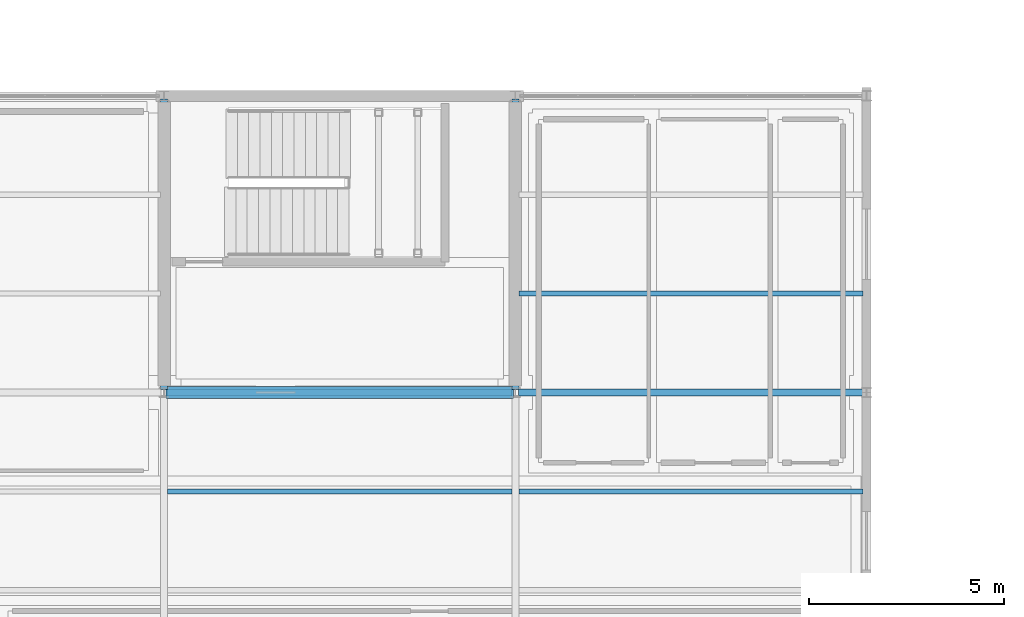
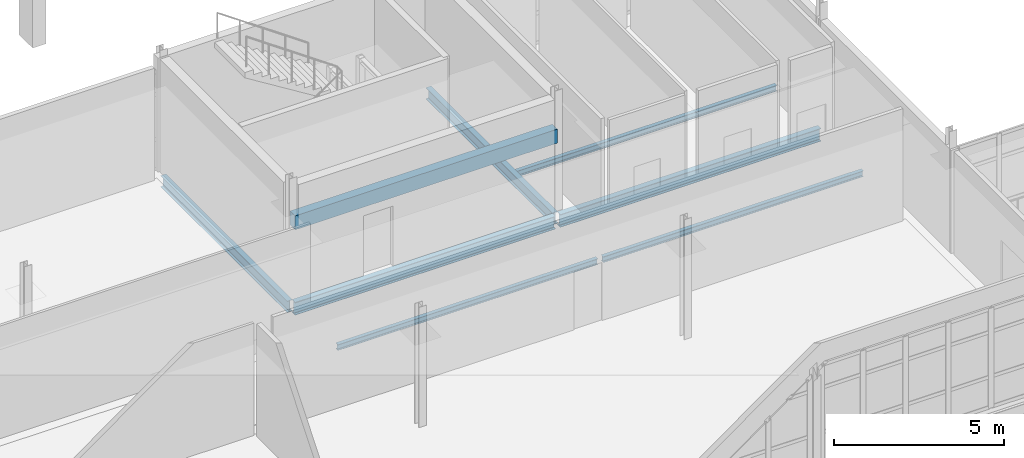
# One storey, part 97 of 166: 8 beams.
"""IFC4 building model written with IfcOpenShell, lengths in metres."""

from ifc_helpers import new_model, si_unit, direction, frame, origin, origin_2d, place, context, subcontext, project, spatial, rectangle, i_section, extrude, material, material_profile, profile_set, type_object, element, save


model = new_model("IFC4")

# Units and contexts
model_context = context("Model", 3, precision=1e-05, world=origin(), true_north=direction((0.0, 1.0)))
body_context = subcontext(model_context, "Body", "Model", "MODEL_VIEW")
ifc_project = project(units=[si_unit("LENGTHUNIT", "METRE"), si_unit("AREAUNIT", "SQUARE_METRE"), si_unit("VOLUMEUNIT", "CUBIC_METRE"), si_unit("PLANEANGLEUNIT", "RADIAN"), si_unit("MASSUNIT", "GRAM", prefix="KILO")], contexts=[model_context])

# Site, building, storey
site_placement = place(None, origin())
site = spatial("IfcSite", under=ifc_project, at=site_placement, CompositionType="ELEMENT")
building_placement = place(site_placement, origin())
building = spatial("IfcBuilding", under=site, at=building_placement, Name="Caisbarro Railhouse Central Library", CompositionType="ELEMENT")
storey_placement = place(building_placement, frame((0.0, 0.0, 9.360107421875)))
storey = spatial("IfcBuildingStorey", under=building, at=storey_placement, Name="L02", CompositionType="ELEMENT", Elevation=9.360107421875)

# Beams
ifc_material_1 = material(Name="Steel ASTM A572 Grade 50", Category="steel")
ifc_material_profile_1 = material_profile(ifc_material_1, i_section(OverallWidth=0.18994140625, OverallDepth=0.45703125, WebThickness=0.009033203125, FlangeThickness=0.014404296875, FilletRadius=0.01806640625, at=origin_2d()), Name="W460X74.0")
ifc_profile_set_1 = profile_set([ifc_material_profile_1], Name="Steel ASTM A572 Grade 50")
beam_type_1 = type_object("IfcBeamType", Name="BM-G08", PredefinedType="BEAM", material=ifc_profile_set_1)
for number, where, z_axis, x_axis, name in (
    (1, (81.080078125, 98.800048828125, -0.4287109375), (1.0, 0.0, 0.0), (0.0, 1.0, 0.0), "G08 beam L02 #1665"),
    (2, (90.080078125, 98.800048828125, -0.4287109375), (1.0, 0.0, 0.0), (0.0, 1.0, 0.0), "G08 beam L02 #1666"),
):
    element("IfcBeam", number, at=place(storey_placement, frame(where, z_axis=z_axis, x_axis=x_axis)), inside=storey, type_object=beam_type_1, Name=name, PredefinedType="BEAM", context=body_context, shape_type="SweptSolid", body=[
        extrude(i_section(OverallWidth=0.18994140625, OverallDepth=0.45703125, WebThickness=0.009033203125, FlangeThickness=0.014404296875, FilletRadius=0.01806640625, at=origin_2d()), origin(), (0.0, 0.0, 1.0), 8.83984375),
    ])
ifc_material_profile_2 = material_profile(ifc_material_1, i_section(OverallWidth=0.177978515625, OverallDepth=0.406982421875, WebThickness=0.0078125, FlangeThickness=0.0126953125, FilletRadius=0.01611328125, at=origin_2d()), Name="W410X60.0")
ifc_profile_set_2 = profile_set([ifc_material_profile_2], Name="Steel ASTM A572 Grade 50")
beam_type_2 = type_object("IfcBeamType", Name="BM-G10", PredefinedType="BEAM", material=ifc_profile_set_2)
for number, where, z_axis, x_axis, name in (
    (3, (81.0, 98.8798828125, -0.403564453125), (0.0, 1.0, 0.0), (-1.0, 0.0, 0.0), "G10 beam L02 #1683"),
    (4, (90.0, 98.8798828125, -0.403564453125), (0.0, 1.0, 0.0), (-1.0, 0.0, 0.0), "G10 beam L02 #1686"),
):
    element("IfcBeam", number, at=place(storey_placement, frame(where, z_axis=z_axis, x_axis=x_axis)), inside=storey, type_object=beam_type_2, Name=name, PredefinedType="BEAM", context=body_context, shape_type="SweptSolid", body=[
        extrude(i_section(OverallWidth=0.177978515625, OverallDepth=0.406982421875, WebThickness=0.0078125, FlangeThickness=0.0126953125, FilletRadius=0.01611328125, at=origin_2d()), origin(), (0.0, 0.0, 1.0), 7.440185546875),
    ])
ifc_material_profile_3 = material_profile(ifc_material_1, i_section(OverallWidth=0.133056640625, OverallDepth=0.20703125, WebThickness=0.005859375, FlangeThickness=0.00830078125, FilletRadius=0.010009765625, at=origin_2d()), Name="W200X26.6")
ifc_profile_set_3 = profile_set([ifc_material_profile_3], Name="Steel ASTM A572 Grade 50")
beam_type_3 = type_object("IfcBeamType", Name="BM-J07", PredefinedType="JOIST", material=ifc_profile_set_3)
for number, where, z_axis, x_axis, name in (
    (5, (81.089111328125, 96.2666015625, -0.3037109375), (1.0, 0.0, 0.0), (0.0, 1.0, 0.0), "J07 beam L02 #1711"),
    (6, (90.089111328125, 96.2666015625, -0.3037109375), (1.0, 0.0, 0.0), (0.0, 1.0, 0.0), "J07 beam L02 #1715"),
    (7, (90.089111328125, 101.333251953125, -0.3037109375), (1.0, 0.0, 0.0), (0.0, 1.0, 0.0), "J07 beam L02 #1716"),
):
    element("IfcBeam", number, at=place(storey_placement, frame(where, z_axis=z_axis, x_axis=x_axis)), inside=storey, type_object=beam_type_3, Name=name, PredefinedType="JOIST", context=body_context, shape_type="SweptSolid", body=[
        extrude(i_section(OverallWidth=0.133056640625, OverallDepth=0.20703125, WebThickness=0.005859375, FlangeThickness=0.00830078125, FilletRadius=0.010009765625, at=origin_2d()), origin(), (0.0, 0.0, 1.0), 8.82177734375),
    ])
ifc_material_2 = material(Name="Concrete C40", Category="concrete")
ifc_material_profile_4 = material_profile(ifc_material_2, rectangle(XDim=0.300048828125, YDim=0.5, at=origin_2d()), Name="RC-LIN-300X500")
ifc_profile_set_4 = profile_set([ifc_material_profile_4], Name="Concrete C40")
beam_type_4 = type_object("IfcBeamType", Name="BM-LN02", PredefinedType="LINTEL", material=ifc_profile_set_4)
beam_placement = place(storey_placement, frame((81.050048828125, 98.800048828125, 2.699951171875), z_axis=(1.0, 0.0, 0.0), x_axis=(0.0, 1.0, 0.0)))
element("IfcBeam", 8, at=beam_placement, inside=storey, type_object=beam_type_4, Name="LN02 RC core coupling lintel K5 L02", PredefinedType="LINTEL", context=body_context, shape_type="SweptSolid", body=[
    extrude(rectangle(XDim=0.300048828125, YDim=0.5, at=origin_2d()), origin(), (0.0, 0.0, 1.0), 8.89990234375),
])

save(model, "model.ifc")
